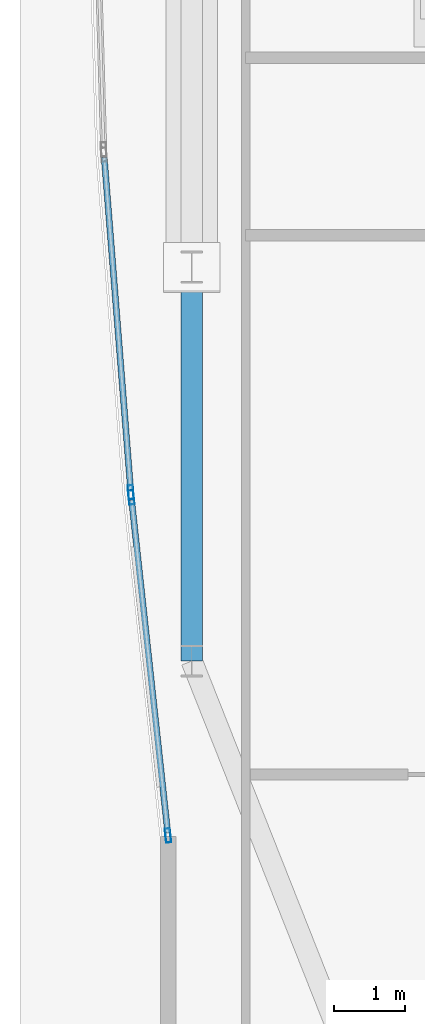
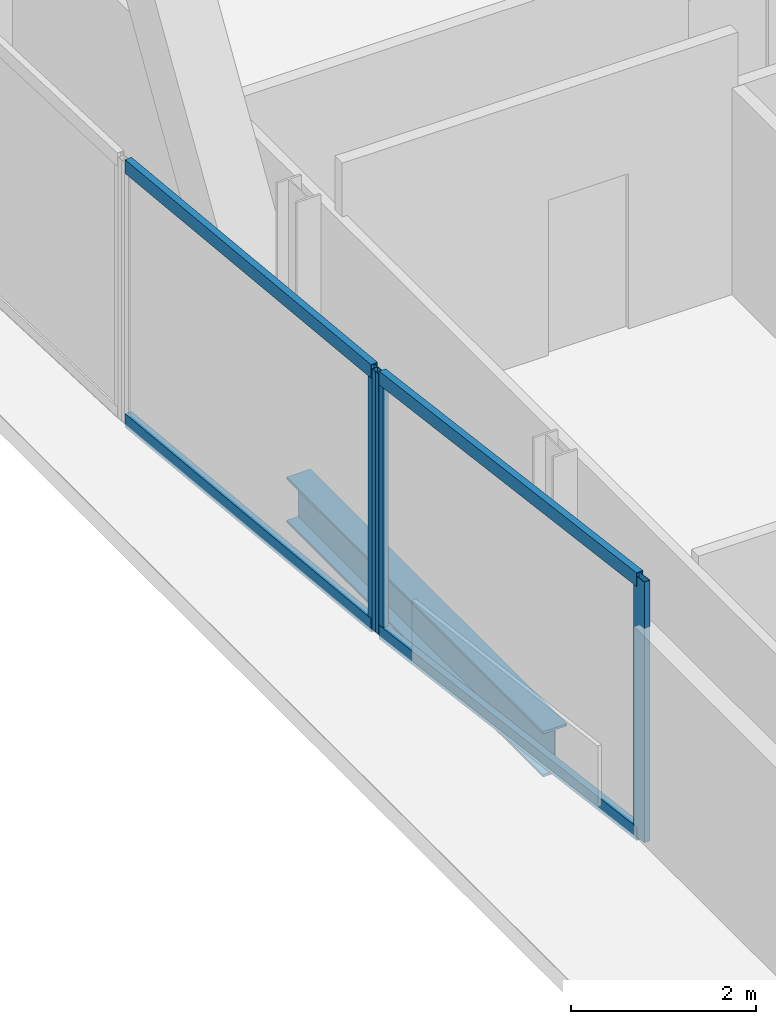
# One storey, part 6 of 32: 7 members, 1 beam, 2 elements without a shape of their own.
"""IFC4 building model written with IfcOpenShell, lengths in metres."""

from ifc_helpers import new_model, si_unit, direction, frame, origin, origin_2d, place, context, subcontext, project, spatial, hollow_rectangle, i_section, extrude, material, material_profile, profile_set, type_object, element, aggregate, save


model = new_model("IFC4")

# Units and contexts
model_context = context("Model", 3, precision=1e-05, world=origin(), true_north=direction((0.0, 1.0)))
body_context = subcontext(model_context, "Body", "Model", "MODEL_VIEW")
ifc_project = project(units=[si_unit("LENGTHUNIT", "METRE"), si_unit("AREAUNIT", "SQUARE_METRE"), si_unit("VOLUMEUNIT", "CUBIC_METRE"), si_unit("PLANEANGLEUNIT", "RADIAN"), si_unit("MASSUNIT", "GRAM", prefix="KILO")], contexts=[model_context])

# Site, building, storey
site_placement = place(None, origin())
site = spatial("IfcSite", under=ifc_project, at=site_placement, CompositionType="ELEMENT")
building_placement = place(site_placement, origin())
building = spatial("IfcBuilding", under=site, at=building_placement, Name="Khoronbel Lancet Exchange", CompositionType="ELEMENT")
storey_placement = place(building_placement, frame((0.0, 0.0, 188.60009765625)))
storey = spatial("IfcBuildingStorey", under=building, at=storey_placement, Name="L47", CompositionType="ELEMENT", Elevation=188.60009765625)

# Beam
ifc_material_1 = material(Name="Steel S355", Category="steel")
ifc_material_profile_1 = material_profile(ifc_material_1, i_section(OverallWidth=0.300048828125, OverallDepth=0.60009765625, WebThickness=0.015380859375, FlangeThickness=0.030029296875, at=origin_2d()), Name="HEB 600")
ifc_profile_set_1 = profile_set([ifc_material_profile_1], Name="Steel S355")
beam_type = type_object("IfcBeamType", Name="BM-BSP2", PredefinedType="SPANDREL", material=ifc_profile_set_1)
beam_placement = place(storey_placement, frame((7.27001953125, 24.75, -0.460205078125), z_axis=(0.0, -1.0, 0.0), x_axis=(1.0, 0.0, 0.0)))
element("IfcBeam", 1, at=beam_placement, inside=storey, type_object=beam_type, Name="Level L47 perimeter spandrel beam SP18", PredefinedType="SPANDREL", context=body_context, shape_type="SweptSolid", body=[
    extrude(i_section(OverallWidth=0.300048828125, OverallDepth=0.60009765625, WebThickness=0.015380859375, FlangeThickness=0.030029296875, at=origin_2d()), origin(), (0.0, 0.0, 1.0), 5.550048828125),
])

# Curtain wall, members
ifc_material_2 = material(Name="Low-E Solar Control Insulating Glass", Category="glass")
curtain_wall_type = type_object("IfcCurtainWallType", Name="CW-4", PredefinedType="NOTDEFINED", material=ifc_material_2)
curtain_wall_1_placement = place(storey_placement, origin())
curtain_wall_1 = element("IfcCurtainWall", 2, at=curtain_wall_1_placement, inside=storey, type_object=curtain_wall_type, Name="Unitised curtain wall CW-L47-E04", PredefinedType="NOTDEFINED")
ifc_material_3 = material(Name="Bronze-Anodised Aluminium 6063-T6", Category="aluminium")
ifc_material_profile_2 = material_profile(ifc_material_3, hollow_rectangle(XDim=0.074951171875, YDim=0.199951171875, WallThickness=0.0048828125, at=origin_2d()), Name="ALU MULLION 75x200")
ifc_profile_set_2 = profile_set([ifc_material_profile_2], Name="Bronze-Anodised Aluminium 6063-T6")
member_type_1 = type_object("IfcMemberType", Name="MEM-CWM2", PredefinedType="MULLION", material=ifc_profile_set_2)
member_1_placement = place(storey_placement, frame((6.93603515625, 16.7421875, 0.0), z_axis=(0.0, 0.0, 1.0), x_axis=(-0.994151948799, -0.107990289834, 0.0)))
member_1 = element("IfcMember", 3, at=member_1_placement, type_object=member_type_1, Name="CW4 mullion 1", PredefinedType="MULLION", context=body_context, shape_type="SweptSolid", body=[
    extrude(hollow_rectangle(XDim=0.074951171875, YDim=0.199951171875, WallThickness=0.0048828125, at=origin_2d()), origin(), (0.0, 0.0, 1.0), 3.43994140625),
])
member_2_placement = place(storey_placement, frame((6.418701171875, 21.50439453125, 0.0), z_axis=(0.0, 0.0, 1.0), x_axis=(-0.994151948799, -0.107990289834, 0.0)))
member_2 = element("IfcMember", 4, at=member_2_placement, type_object=member_type_1, Name="CW4 mullion 2", PredefinedType="MULLION", context=body_context, shape_type="SweptSolid", body=[
    extrude(hollow_rectangle(XDim=0.074951171875, YDim=0.199951171875, WallThickness=0.0048828125, at=origin_2d()), origin(), (0.0, 0.0, 1.0), 3.43994140625),
])

# Curtain wall, member
curtain_wall_2_placement = place(storey_placement, origin())
curtain_wall_2 = element("IfcCurtainWall", 5, at=curtain_wall_2_placement, inside=storey, type_object=curtain_wall_type, Name="Unitised curtain wall CW-L47-E05", PredefinedType="NOTDEFINED")
member_3_placement = place(storey_placement, frame((6.41162109375, 21.5791015625, 0.0), z_axis=(0.0, 0.0, 1.0), x_axis=(-0.996854401909, -0.079254661653, 0.0)))
member_3 = element("IfcMember", 6, at=member_3_placement, type_object=member_type_1, Name="CW4 mullion 1", PredefinedType="MULLION", context=body_context, shape_type="SweptSolid", body=[
    extrude(hollow_rectangle(XDim=0.074951171875, YDim=0.199951171875, WallThickness=0.0048828125, at=origin_2d()), origin(), (0.0, 0.0, 1.0), 3.43994140625),
])

# Member
ifc_material_profile_3 = material_profile(ifc_material_3, hollow_rectangle(XDim=0.0849609375, YDim=0.179931640625, WallThickness=0.0048828125, at=origin_2d()), Name="ALU TRANSOM 85x180")
ifc_profile_set_3 = profile_set([ifc_material_profile_3], Name="Bronze-Anodised Aluminium 6063-T6")
member_type_2 = type_object("IfcMemberType", Name="MEM-CWT1", PredefinedType="USERDEFINED", material=ifc_profile_set_3)
member_4_placement = place(storey_placement, frame((6.931884765625, 16.779541015625, 0.04248046875), z_axis=(-0.108010231569, 0.994149782415, 0.0), x_axis=(-0.994149782415, -0.108010231569, 0.0)))
member_4 = element("IfcMember", 7, at=member_4_placement, type_object=member_type_2, Name="CW4 transom 1.1", ObjectType="TRANSOM", PredefinedType="USERDEFINED", context=body_context, shape_type="SweptSolid", body=[
    extrude(hollow_rectangle(XDim=0.0849609375, YDim=0.179931640625, WallThickness=0.0048828125, at=origin_2d()), origin(), (0.0, 0.0, 1.0), 4.715087890625),
])

member_5_placement = place(storey_placement, frame((6.931884765625, 16.779541015625, 3.3974609375), z_axis=(-0.108010231569, 0.994149782415, 0.0), x_axis=(-0.994149782415, -0.108010231569, 0.0)))
member_5 = element("IfcMember", 8, at=member_5_placement, type_object=member_type_2, Name="CW4 transom 1.2", ObjectType="TRANSOM", PredefinedType="USERDEFINED", context=body_context, shape_type="SweptSolid", body=[
    extrude(hollow_rectangle(XDim=0.0849609375, YDim=0.179931640625, WallThickness=0.0048828125, at=origin_2d()), origin(), (0.0, 0.0, 1.0), 4.715087890625),
])

aggregate(curtain_wall_1, [member_1, member_2, member_4, member_5])

member_6_placement = place(storey_placement, frame((6.40869140625, 21.616455078125, 0.04248046875), z_axis=(-0.079245071744, 0.996855164306, 0.0), x_axis=(-0.996855164306, -0.079245071744, 0.0)))
member_6 = element("IfcMember", 9, at=member_6_placement, type_object=member_type_2, Name="CW4 transom 1.1", ObjectType="TRANSOM", PredefinedType="USERDEFINED", context=body_context, shape_type="SweptSolid", body=[
    extrude(hollow_rectangle(XDim=0.0849609375, YDim=0.179931640625, WallThickness=0.0048828125, at=origin_2d()), origin(), (0.0, 0.0, 1.0), 4.695068359375),
])

member_7_placement = place(storey_placement, frame((6.40869140625, 21.616455078125, 3.3974609375), z_axis=(-0.079245071744, 0.996855164306, 0.0), x_axis=(-0.996855164306, -0.079245071744, 0.0)))
member_7 = element("IfcMember", 10, at=member_7_placement, type_object=member_type_2, Name="CW4 transom 1.2", ObjectType="TRANSOM", PredefinedType="USERDEFINED", context=body_context, shape_type="SweptSolid", body=[
    extrude(hollow_rectangle(XDim=0.0849609375, YDim=0.179931640625, WallThickness=0.0048828125, at=origin_2d()), origin(), (0.0, 0.0, 1.0), 4.695068359375),
])

aggregate(curtain_wall_2, [member_3, member_6, member_7])

save(model, "model.ifc")
